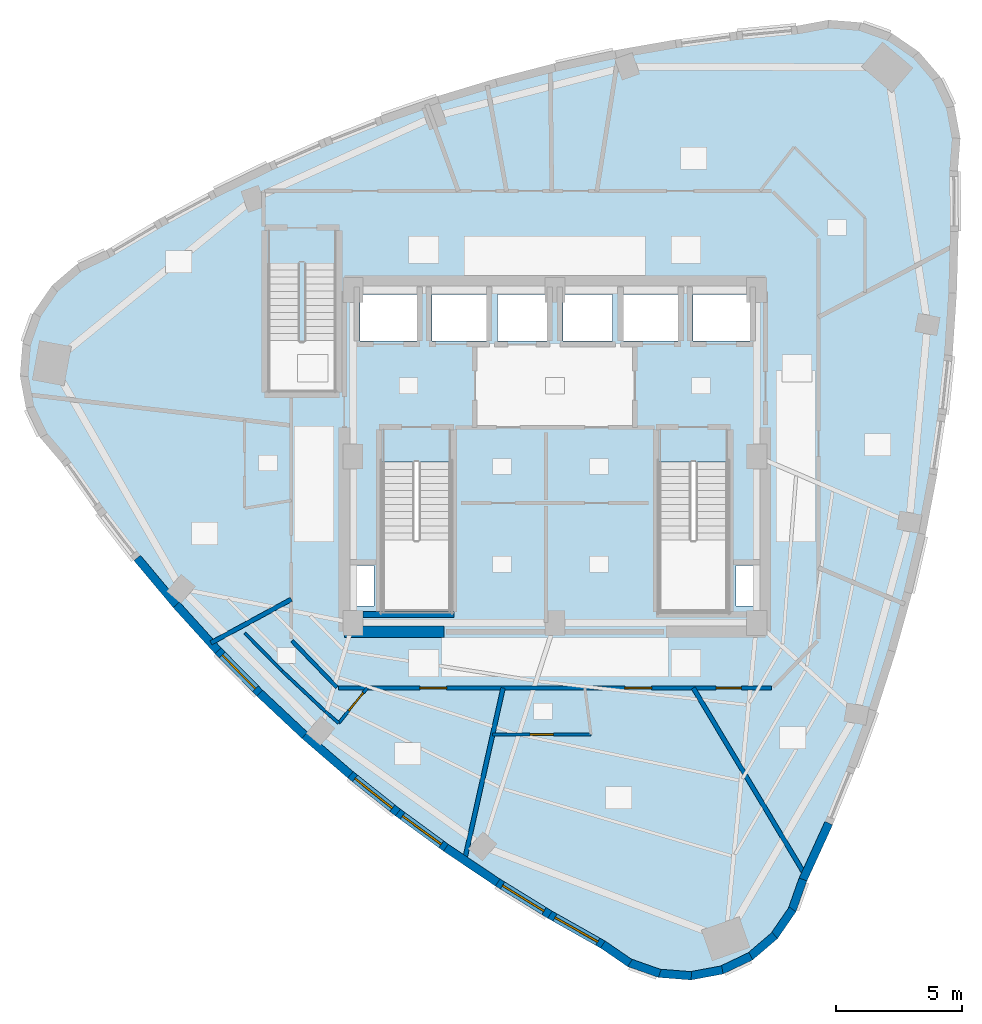
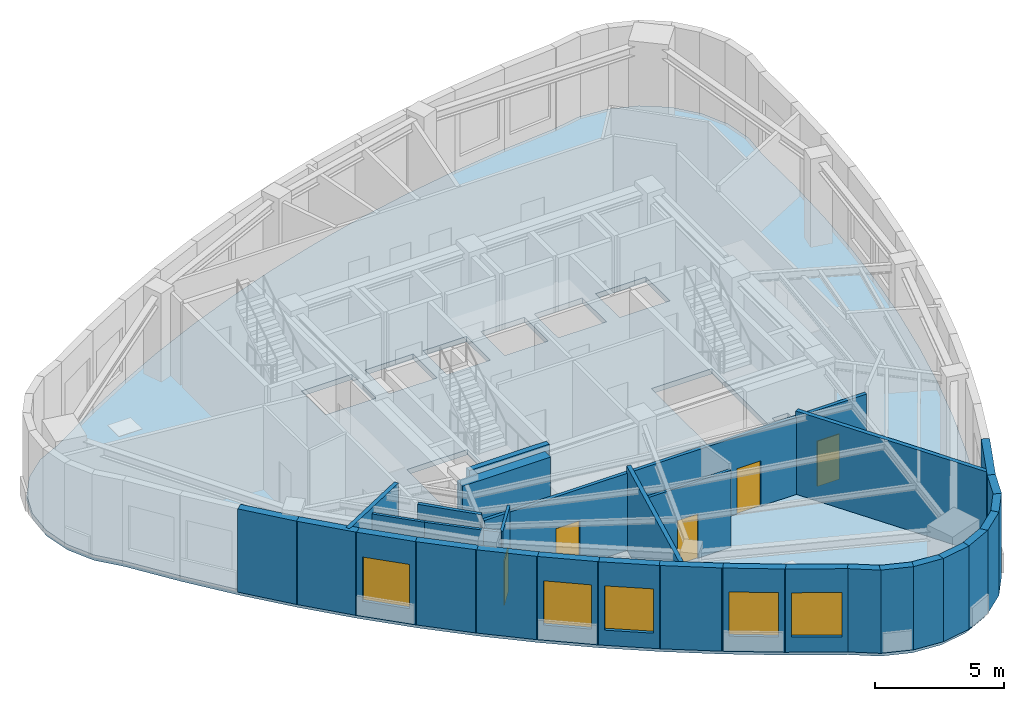
# One storey, part 2 of 9: 31 walls, 5 doors, 5 windows, 1 slab, 10 openings.
"""IFC4 building model written with IfcOpenShell, lengths in metres."""

from ifc_helpers import new_model, si_unit, direction, frame, frame_2d, origin, place, context, subcontext, project, spatial, polyline, rectangle, outline, extrude, material, layer, layer_set, type_object, element, fill, save


model = new_model("IFC4")

# Units and contexts
model_context = context("Model", 3, precision=1e-05, world=origin(), true_north=direction((0.0, 1.0)))
body_context = subcontext(model_context, "Body", "Model", "MODEL_VIEW")
ifc_project = project(units=[si_unit("LENGTHUNIT", "METRE"), si_unit("AREAUNIT", "SQUARE_METRE"), si_unit("VOLUMEUNIT", "CUBIC_METRE"), si_unit("PLANEANGLEUNIT", "RADIAN"), si_unit("MASSUNIT", "GRAM", prefix="KILO")], contexts=[model_context])

# Site, building, storey
site_placement = place(None, origin())
site = spatial("IfcSite", under=ifc_project, at=site_placement, CompositionType="ELEMENT")
building_placement = place(site_placement, origin())
building = spatial("IfcBuilding", under=site, at=building_placement, Name="Ndelora Gate Hotel", CompositionType="ELEMENT")
storey_placement = place(building_placement, frame((0.0, 0.0, 260.199951171875)))
storey = spatial("IfcBuildingStorey", under=building, at=storey_placement, Name="L65", CompositionType="ELEMENT", Elevation=260.199951171875)

# Slab
ifc_material_1 = material(Name="Concrete C40/50", Category="concrete")
ifc_layer_1 = layer(ifc_material_1, 0.25)
ifc_layer_set_1 = layer_set([ifc_layer_1], Name="Concrete C40/50")
slab_type = type_object("IfcSlabType", Name="SL-TWR-250", PredefinedType="FLOOR", material=ifc_layer_set_1)
slab_placement = place(storey_placement, frame((0.0, 0.0, -0.25)))
element("IfcSlab", 1, at=slab_placement, inside=storey, type_object=slab_type, Name="L65 Structural Floor Slab", PredefinedType="FLOOR", context=body_context, shape_type="SweptSolid", body=[
    extrude(outline(polyline([(-17.73193359375, 8.018798828125), (-18.863037109375, 7.4794921875), (-19.81591796875, 6.66552734375), (-20.525390625, 5.6328125), (-20.94384765625, 4.45166015625), (-21.0419921875, 3.20263671875), (-20.813720703125, 1.970458984375), (-20.2744140625, 0.839599609375), (-19.46044921875, -0.11328125), (-18.03662109375, -2.114990234375), (-16.54736328125, -4.044677734375), (-14.993408203125, -5.90185546875), (-13.3740234375, -7.686767578125), (-11.689697265625, -9.399658203125), (-9.9404296875, -11.0400390625), (-8.126220703125, -12.6083984375), (-6.24658203125, -14.104248046875), (-4.30224609375, -15.528076171875), (-2.292724609375, -16.87939453125), (-0.21826171875, -18.15869140625), (1.92138671875, -19.36572265625), (2.9541015625, -20.075439453125), (4.13525390625, -20.493896484375), (5.384521484375, -20.592041015625), (6.61669921875, -20.36376953125), (7.74755859375, -19.82421875), (8.700439453125, -19.010498046875), (9.41015625, -17.977783203125), (9.828369140625, -16.796630859375), (10.85009765625, -14.5625), (11.7763671875, -12.30810546875), (12.60791015625, -10.03369140625), (13.343994140625, -7.739013671875), (13.985107421875, -5.423828125), (14.53125, -3.088623046875), (14.982177734375, -0.7333984375), (15.337890625, 1.642333984375), (15.598876953125, 4.0380859375), (15.764404296875, 6.4541015625), (15.8349609375, 8.890380859375), (15.810546875, 11.346923828125), (15.90869140625, 12.59619140625), (15.680419921875, 13.828125), (15.14111328125, 14.959228515625), (14.3271484375, 15.912109375), (13.294677734375, 16.62158203125), (12.11328125, 17.0400390625), (10.8642578125, 17.13818359375), (9.632080078125, 16.909912109375), (7.1865234375, 16.677490234375), (4.77099609375, 16.352783203125), (2.385498046875, 15.935546875), (0.030029296875, 15.42578125), (-2.29541015625, 14.823486328125), (-4.5908203125, 14.12890625), (-6.85595703125, 13.341552734375), (-9.09130859375, 12.4619140625), (-11.29638671875, 11.489990234375), (-13.4716796875, 10.42529296875), (-15.616943359375, 9.268310546875), (-17.73193359375, 8.018798828125)]), holes=[polyline([(-6.85009765625, -0.22998046875), (-6.85009765625, -6.14990234375), (-4.1298828125, -6.14990234375), (-4.1298828125, -0.22998046875), (-6.85009765625, -0.22998046875)]), polyline([(4.1298828125, -0.22998046875), (4.1298828125, -6.14990234375), (6.85009765625, -6.14990234375), (6.85009765625, -0.22998046875), (4.1298828125, -0.22998046875)]), polyline([(-7.72998046875, 4.570068359375), (-5.469970703125, 4.570068359375), (-5.469970703125, 6.429931640625), (-7.72998046875, 6.429931640625), (-7.72998046875, 4.570068359375)]), polyline([(5.469970703125, 4.570068359375), (7.72998046875, 4.570068359375), (7.72998046875, 6.429931640625), (5.469970703125, 6.429931640625), (5.469970703125, 4.570068359375)]), polyline([(-4.8798828125, 4.570068359375), (-2.719970703125, 4.570068359375), (-2.719970703125, 6.429931640625), (-4.8798828125, 6.429931640625), (-4.8798828125, 4.570068359375)]), polyline([(2.719970703125, 4.570068359375), (4.8798828125, 4.570068359375), (4.8798828125, 6.429931640625), (2.719970703125, 6.429931640625), (2.719970703125, 4.570068359375)]), polyline([(-2.280029296875, 4.570068359375), (-0.320068359375, 4.570068359375), (-0.320068359375, 6.429931640625), (-2.280029296875, 6.429931640625), (-2.280029296875, 4.570068359375)]), polyline([(0.320068359375, 4.570068359375), (2.280029296875, 4.570068359375), (2.280029296875, 6.429931640625), (0.320068359375, 6.429931640625), (0.320068359375, 4.570068359375)]), polyline([(-7.89990234375, -5.919921875), (-7.179931640625, -5.919921875), (-7.179931640625, -4.320068359375), (-7.89990234375, -4.320068359375), (-7.89990234375, -5.919921875)]), polyline([(7.179931640625, -5.919921875), (7.89990234375, -5.919921875), (7.89990234375, -4.320068359375), (7.179931640625, -4.320068359375), (7.179931640625, -5.919921875)])]), origin(), (0.0, 0.0, 1.0), 0.25),
])

# Walls
ifc_material_2 = material(Name="Acoustic Double-Stud Gypsum Assembly", Category="gypsum")
ifc_layer_2 = layer(ifc_material_2, 0.179931640625)
ifc_layer_set_2 = layer_set([ifc_layer_2], Name="Acoustic Double-Stud Gypsum Assembly")
wall_type_1 = type_object("IfcWallType", Name="WL-ACOUST-180", PredefinedType="PARTITIONING", material=ifc_layer_set_2)
wall_1_placement = place(storey_placement, frame((-10.449951171875, -5.665283203125, 0.0), z_axis=(0.0, 0.0, 1.0), x_axis=(-0.87913221744, -0.476577951922, 0.0)))
element("IfcWall", 2, at=wall_1_placement, inside=storey, type_object=wall_type_1, Name="L65 Interior Wall IW-3", PredefinedType="PARTITIONING", context=body_context, shape_type="SweptSolid", body=[
    extrude(rectangle(XDim=3.6279296875, YDim=0.179931640625, at=frame_2d((1.81396484375, 0.0))), origin(), (0.0, 0.0, 1.0), 3.949951171875),
])
wall_2_placement = place(storey_placement, frame((-2.054931640625, -9.179931640625, 0.0), z_axis=(0.0, 0.0, 1.0), x_axis=(-0.218433184148, -0.97585190683, 0.0)))
element("IfcWall", 3, at=wall_2_placement, inside=storey, type_object=wall_type_1, Name="L65 Interior Wall IW-3", PredefinedType="PARTITIONING", context=body_context, shape_type="SweptSolid", body=[
    extrude(rectangle(XDim=7.0, YDim=0.179931640625, at=frame_2d((3.5, 0.0))), origin(), (0.0, 0.0, 1.0), 3.949951171875),
])
wall_3_placement = place(storey_placement, frame((5.488037109375, -9.179931640625, 0.0), z_axis=(0.0, 0.0, 1.0), x_axis=(0.513144382801, -0.858302302455, 0.0)))
element("IfcWall", 4, at=wall_3_placement, inside=storey, type_object=wall_type_1, Name="L65 Interior Wall IW-3", PredefinedType="PARTITIONING", context=body_context, shape_type="SweptSolid", body=[
    extrude(rectangle(XDim=8.638671875, YDim=0.179931640625, at=frame_2d((4.3193359375, 0.0))), origin(), (0.0, 0.0, 1.0), 3.949951171875),
])
ifc_material_3 = material(Name="Clay Brick Masonry", Category="masonry")
ifc_layer_3 = layer(ifc_material_3, 0.330078125)
ifc_layer_set_3 = layer_set([ifc_layer_3], Name="Clay Brick Masonry")
wall_type_2 = type_object("IfcWallType", Name="WL-BRICK-330", PredefinedType="SOLIDWALL", material=ifc_layer_set_3)
wall_4_placement = place(storey_placement, frame((-14.977294921875, -5.9208984375, 0.0), z_axis=(0.0, 0.0, 1.0), x_axis=(-0.641757017805, 0.76690803236, 0.0)))
element("IfcWall", 5, at=wall_4_placement, inside=storey, type_object=wall_type_2, Name="L65 Tower Brick Pier-and-Spandrel Wall TWR-11", PredefinedType="SOLIDWALL", context=body_context, shape_type="SweptSolid", body=[
    extrude(rectangle(XDim=2.4716796875, YDim=0.330078125, at=frame_2d((1.23583984375, 0.0))), origin(), (0.0, 0.0, 1.0), 3.949951171875),
])
wall_5_placement = place(storey_placement, frame((-13.357421875, -7.705322265625, 0.0), z_axis=(0.0, 0.0, 1.0), x_axis=(-0.671827602416, 0.740707548653, 0.0)))
element("IfcWall", 6, at=wall_5_placement, inside=storey, type_object=wall_type_2, Name="L65 Tower Brick Pier-and-Spandrel Wall TWR-12", PredefinedType="SOLIDWALL", context=body_context, shape_type="SweptSolid", body=[
    extrude(rectangle(XDim=2.4599609375, YDim=0.330078125, at=frame_2d((1.22998046875, 0.0))), origin(), (0.0, 0.0, 1.0), 3.949951171875),
])

# Wall, opening, window
wall_6_placement = place(storey_placement, frame((-11.67236328125, -9.41748046875, 0.0), z_axis=(0.0, 0.0, 1.0), x_axis=(-0.701107893647, 0.713055202257, 0.0)))
wall_6 = element("IfcWall", 7, at=wall_6_placement, inside=storey, type_object=wall_type_2, Name="L65 Tower Brick Pier-and-Spandrel Wall TWR-13", PredefinedType="SOLIDWALL", context=body_context, shape_type="SweptSolid", body=[
    extrude(rectangle(XDim=2.4521484375, YDim=0.330078125, at=frame_2d((1.22607421875, 0.0))), origin(), (0.0, 0.0, 1.0), 3.949951171875),
])
opening_1_placement = place(wall_6_placement, frame((0.281005859375, 0.0, 0.719970703125)))
opening_1 = element("IfcOpeningElement", 8, at=opening_1_placement, cuts=wall_6, Name="Opening W08", PredefinedType="OPENING", context=body_context, shape_type="SweptSolid", body=[
    extrude(rectangle(XDim=1.889892578125, YDim=2.10009765625, at=frame_2d((0.94482421875, 1.050048828125))), frame((0.0, 0.175048828125, 0.0), z_axis=(0.0, -1.0, 0.0), x_axis=(1.0, 0.0, 0.0)), (0.0, 0.0, 1.0), 0.35009765625),
])
ifc_material_4 = material(Name="Insulated Low-E Double Glazing in Bronze Aluminium Frame", Category="aluminium")
window_type = type_object("IfcWindowType", Name="WN-PENT-2250", PartitioningType="SINGLE_PANEL", PredefinedType="WINDOW", material=ifc_material_4)
window_1_placement = place(opening_1_placement, origin())
window_1 = element("IfcWindow", 9, at=window_1_placement, inside=storey, type_object=window_type, Name="L65 Deep-Set Brick-Pier Window W08", OverallHeight=2.10009765625, OverallWidth=1.889892578125, PartitioningType="SINGLE_PANEL", PredefinedType="WINDOW", context=body_context, shape_type="SweptSolid", body=[
    extrude(rectangle(XDim=1.889892578125, YDim=2.10009765625, at=frame_2d((0.94482421875, 1.050048828125))), frame((0.0, 0.030029296875, 0.0), z_axis=(0.0, -1.0, 0.0), x_axis=(1.0, 0.0, 0.0)), (0.0, 0.0, 1.0), 0.06005859375),
])
fill(opening_1, window_1)

# Walls
wall_7_placement = place(storey_placement, frame((-9.92236328125, -11.05712890625, 0.0), z_axis=(0.0, 0.0, 1.0), x_axis=(-0.72943145169, 0.68405391402, 0.0)))
element("IfcWall", 10, at=wall_7_placement, inside=storey, type_object=wall_type_2, Name="L65 Tower Brick Pier-and-Spandrel Wall TWR-14", PredefinedType="SOLIDWALL", context=body_context, shape_type="SweptSolid", body=[
    extrude(rectangle(XDim=2.447998046875, YDim=0.330078125, at=frame_2d((1.22412109375, 0.0))), origin(), (0.0, 0.0, 1.0), 3.949951171875),
])
wall_8_placement = place(storey_placement, frame((-8.107177734375, -12.62451171875, 0.0), z_axis=(0.0, 0.0, 1.0), x_axis=(-0.756596491388, 0.653882060634, 0.0)))
element("IfcWall", 11, at=wall_8_placement, inside=storey, type_object=wall_type_2, Name="L65 Tower Brick Pier-and-Spandrel Wall TWR-15", PredefinedType="SOLIDWALL", context=body_context, shape_type="SweptSolid", body=[
    extrude(rectangle(XDim=2.4482421875, YDim=0.330078125, at=frame_2d((1.22412109375, 0.0))), origin(), (0.0, 0.0, 1.0), 3.949951171875),
])

# Wall, opening, window
wall_9_placement = place(storey_placement, frame((-6.22705078125, -14.119873046875, 0.0), z_axis=(0.0, 0.0, 1.0), x_axis=(-0.782430159528, 0.622738344299, 0.0)))
wall_9 = element("IfcWall", 12, at=wall_9_placement, inside=storey, type_object=wall_type_2, Name="L65 Tower Brick Pier-and-Spandrel Wall TWR-16", PredefinedType="SOLIDWALL", context=body_context, shape_type="SweptSolid", body=[
    extrude(rectangle(XDim=2.4521484375, YDim=0.330078125, at=frame_2d((1.22607421875, 0.0))), origin(), (0.0, 0.0, 1.0), 3.949951171875),
])
opening_2_placement = place(wall_9_placement, frame((0.281005859375, 0.0, 0.719970703125)))
opening_2 = element("IfcOpeningElement", 13, at=opening_2_placement, cuts=wall_9, Name="Opening W08", PredefinedType="OPENING", context=body_context, shape_type="SweptSolid", body=[
    extrude(rectangle(XDim=1.889892578125, YDim=2.10009765625, at=frame_2d((0.94482421875, 1.050048828125))), frame((0.0, 0.175048828125, 0.0), z_axis=(0.0, -1.0, 0.0), x_axis=(1.0, 0.0, 0.0)), (0.0, 0.0, 1.0), 0.35009765625),
])
window_2_placement = place(opening_2_placement, origin())
window_2 = element("IfcWindow", 14, at=window_2_placement, inside=storey, type_object=window_type, Name="L65 Deep-Set Brick-Pier Window W08", OverallHeight=2.10009765625, OverallWidth=1.889892578125, PartitioningType="SINGLE_PANEL", PredefinedType="WINDOW", context=body_context, shape_type="SweptSolid", body=[
    extrude(rectangle(XDim=1.889892578125, YDim=2.10009765625, at=frame_2d((0.94482421875, 1.050048828125))), frame((0.0, 0.030029296875, 0.0), z_axis=(0.0, -1.0, 0.0), x_axis=(1.0, 0.0, 0.0)), (0.0, 0.0, 1.0), 0.06005859375),
])
fill(opening_2, window_2)

wall_10_placement = place(storey_placement, frame((-4.281982421875, -15.542724609375, 0.0), z_axis=(0.0, 0.0, 1.0), x_axis=(-0.806878025258, 0.59071808196, 0.0)))
wall_10 = element("IfcWall", 15, at=wall_10_placement, inside=storey, type_object=wall_type_2, Name="L65 Tower Brick Pier-and-Spandrel Wall TWR-17", PredefinedType="SOLIDWALL", context=body_context, shape_type="SweptSolid", body=[
    extrude(rectangle(XDim=2.4599609375, YDim=0.330078125, at=frame_2d((1.22998046875, 0.0))), origin(), (0.0, 0.0, 1.0), 3.949951171875),
])
opening_3_placement = place(wall_10_placement, frame((0.27978515625, 0.0, 0.719970703125)))
opening_3 = element("IfcOpeningElement", 16, at=opening_3_placement, cuts=wall_10, Name="Opening W08", PredefinedType="OPENING", context=body_context, shape_type="SweptSolid", body=[
    extrude(rectangle(XDim=1.89990234375, YDim=2.10009765625, at=frame_2d((0.949951171875, 1.050048828125))), frame((0.0, 0.175048828125, 0.0), z_axis=(0.0, -1.0, 0.0), x_axis=(1.0, 0.0, 0.0)), (0.0, 0.0, 1.0), 0.35009765625),
])
window_3_placement = place(opening_3_placement, origin())
window_3 = element("IfcWindow", 17, at=window_3_placement, inside=storey, type_object=window_type, Name="L65 Deep-Set Brick-Pier Window W08", OverallHeight=2.10009765625, OverallWidth=1.89990234375, PartitioningType="SINGLE_PANEL", PredefinedType="WINDOW", context=body_context, shape_type="SweptSolid", body=[
    extrude(rectangle(XDim=1.89990234375, YDim=2.10009765625, at=frame_2d((0.949951171875, 1.050048828125))), frame((0.0, 0.030029296875, 0.0), z_axis=(0.0, -1.0, 0.0), x_axis=(1.0, 0.0, 0.0)), (0.0, 0.0, 1.0), 0.06005859375),
])
fill(opening_3, window_3)

# Wall
wall_11_placement = place(storey_placement, frame((-2.27197265625, -16.8935546875, 0.0), z_axis=(0.0, 0.0, 1.0), x_axis=(-0.829748723079, 0.558137130594, 0.0)))
element("IfcWall", 18, at=wall_11_placement, inside=storey, type_object=wall_type_2, Name="L65 Tower Brick Pier-and-Spandrel Wall TWR-18", PredefinedType="SOLIDWALL", context=body_context, shape_type="SweptSolid", body=[
    extrude(rectangle(XDim=2.471923828125, YDim=0.330078125, at=frame_2d((1.23583984375, 0.0))), origin(), (0.0, 0.0, 1.0), 3.949951171875),
])

# Wall, opening, window
wall_12_placement = place(storey_placement, frame((-0.197021484375, -18.171875, 0.0), z_axis=(0.0, 0.0, 1.0), x_axis=(-0.851175986277, 0.524880405792, 0.0)))
wall_12 = element("IfcWall", 19, at=wall_12_placement, inside=storey, type_object=wall_type_2, Name="L65 Tower Brick Pier-and-Spandrel Wall TWR-19", PredefinedType="SOLIDWALL", context=body_context, shape_type="SweptSolid", body=[
    extrude(rectangle(XDim=2.487060546875, YDim=0.330078125, at=frame_2d((1.24365234375, 0.0))), origin(), (0.0, 0.0, 1.0), 3.949951171875),
])
opening_4_placement = place(wall_12_placement, frame((0.278564453125, 0.0, 0.719970703125)))
opening_4 = element("IfcOpeningElement", 20, at=opening_4_placement, cuts=wall_12, Name="Opening W08", PredefinedType="OPENING", context=body_context, shape_type="SweptSolid", body=[
    extrude(rectangle(XDim=1.929931640625, YDim=2.10009765625, at=frame_2d((0.96484375, 1.050048828125))), frame((0.0, 0.175048828125, 0.0), z_axis=(0.0, -1.0, 0.0), x_axis=(1.0, 0.0, 0.0)), (0.0, 0.0, 1.0), 0.35009765625),
])
window_4_placement = place(opening_4_placement, origin())
window_4 = element("IfcWindow", 21, at=window_4_placement, inside=storey, type_object=window_type, Name="L65 Deep-Set Brick-Pier Window W08", OverallHeight=2.10009765625, OverallWidth=1.929931640625, PartitioningType="SINGLE_PANEL", PredefinedType="WINDOW", context=body_context, shape_type="SweptSolid", body=[
    extrude(rectangle(XDim=1.929931640625, YDim=2.10009765625, at=frame_2d((0.96484375, 1.050048828125))), frame((0.0, 0.030029296875, 0.0), z_axis=(0.0, -1.0, 0.0), x_axis=(1.0, 0.0, 0.0)), (0.0, 0.0, 1.0), 0.06005859375),
])
fill(opening_4, window_4)

wall_13_placement = place(storey_placement, frame((1.943359375, -19.378173828125, 0.0), z_axis=(0.0, 0.0, 1.0), x_axis=(-0.870968849899, 0.491338236357, 0.0)))
wall_13 = element("IfcWall", 22, at=wall_13_placement, inside=storey, type_object=wall_type_2, Name="L65 Tower Brick Pier-and-Spandrel Wall TWR-20", PredefinedType="SOLIDWALL", context=body_context, shape_type="SweptSolid", body=[
    extrude(rectangle(XDim=2.5068359375, YDim=0.330078125, at=frame_2d((1.25341796875, 0.0))), origin(), (0.0, 0.0, 1.0), 3.949951171875),
])
opening_5_placement = place(wall_13_placement, frame((0.2783203125, 0.0, 0.719970703125)))
opening_5 = element("IfcOpeningElement", 23, at=opening_5_placement, cuts=wall_13, Name="Opening W08", PredefinedType="OPENING", context=body_context, shape_type="SweptSolid", body=[
    extrude(rectangle(XDim=1.949951171875, YDim=2.10009765625, at=frame_2d((0.97509765625, 1.050048828125))), frame((0.0, 0.175048828125, 0.0), z_axis=(0.0, -1.0, 0.0), x_axis=(1.0, 0.0, 0.0)), (0.0, 0.0, 1.0), 0.35009765625),
])
window_5_placement = place(opening_5_placement, origin())
window_5 = element("IfcWindow", 24, at=window_5_placement, inside=storey, type_object=window_type, Name="L65 Deep-Set Brick-Pier Window W08", OverallHeight=2.10009765625, OverallWidth=1.949951171875, PartitioningType="SINGLE_PANEL", PredefinedType="WINDOW", context=body_context, shape_type="SweptSolid", body=[
    extrude(rectangle(XDim=1.949951171875, YDim=2.10009765625, at=frame_2d((0.97509765625, 1.050048828125))), frame((0.0, 0.030029296875, 0.0), z_axis=(0.0, -1.0, 0.0), x_axis=(1.0, 0.0, 0.0)), (0.0, 0.0, 1.0), 0.06005859375),
])
fill(opening_5, window_5)

# Walls
wall_14_placement = place(storey_placement, frame((2.974609375, -20.089599609375, 0.0), z_axis=(0.0, 0.0, 1.0), x_axis=(-0.824096593529, 0.566449295643, 0.0)))
element("IfcWall", 25, at=wall_14_placement, inside=storey, type_object=wall_type_2, Name="L65 Tower Brick Pier-and-Spandrel Wall TWR-21", PredefinedType="SOLIDWALL", context=body_context, shape_type="SweptSolid", body=[
    extrude(rectangle(XDim=1.302978515625, YDim=0.330078125, at=frame_2d((0.6513671875, 0.0))), origin(), (0.0, 0.0, 1.0), 3.949951171875),
])
wall_15_placement = place(storey_placement, frame((4.158935546875, -20.502197265625, 0.0), z_axis=(0.0, 0.0, 1.0), x_axis=(-0.942637049927, 0.333819400431, 0.0)))
element("IfcWall", 26, at=wall_15_placement, inside=storey, type_object=wall_type_2, Name="L65 Tower Brick Pier-and-Spandrel Wall TWR-22", PredefinedType="SOLIDWALL", context=body_context, shape_type="SweptSolid", body=[
    extrude(rectangle(XDim=1.30322265625, YDim=0.330078125, at=frame_2d((0.651611328125, 0.0))), origin(), (0.0, 0.0, 1.0), 3.949951171875),
])
for number, where, z_axis, x_axis, name in (
    (27, (5.409423828125, -20.593994140625, 0.0), (0.0, 0.0, 1.0), (-0.996913988439, 0.078501590144, 0.0), "L65 Tower Brick Pier-and-Spandrel Wall TWR-23"),
    (28, (6.64111328125, -20.359130859375, 0.0), (0.0, 0.0, 1.0), (-0.983243468193, -0.182297236005, 0.0), "L65 Tower Brick Pier-and-Spandrel Wall TWR-24"),
):
    element("IfcWall", number, at=place(storey_placement, frame(where, z_axis=z_axis, x_axis=x_axis)), inside=storey, type_object=wall_type_2, Name=name, PredefinedType="SOLIDWALL", context=body_context, shape_type="SweptSolid", body=[
        extrude(rectangle(XDim=1.302978515625, YDim=0.330078125, at=frame_2d((0.6513671875, 0.0))), origin(), (0.0, 0.0, 1.0), 3.949951171875),
    ])
wall_16_placement = place(storey_placement, frame((7.770263671875, -19.8134765625, 0.0), z_axis=(0.0, 0.0, 1.0), x_axis=(-0.902590242775, -0.430500701099, 0.0)))
element("IfcWall", 29, at=wall_16_placement, inside=storey, type_object=wall_type_2, Name="L65 Tower Brick Pier-and-Spandrel Wall TWR-25", PredefinedType="SOLIDWALL", context=body_context, shape_type="SweptSolid", body=[
    extrude(rectangle(XDim=1.30322265625, YDim=0.330078125, at=frame_2d((0.651611328125, 0.0))), origin(), (0.0, 0.0, 1.0), 3.949951171875),
])
for number, where, z_axis, x_axis, name in (
    (30, (8.719482421875, -18.994384765625, 0.0), (0.0, 0.0, 1.0), (-0.760471977712, -0.649370750123, 0.0), "L65 Tower Brick Pier-and-Spandrel Wall TWR-26"),
    (31, (9.42431640625, -17.957275390625, 0.0), (0.0, 0.0, 1.0), (-0.566449295643, -0.824096593529, 0.0), "L65 Tower Brick Pier-and-Spandrel Wall TWR-27"),
):
    element("IfcWall", number, at=place(storey_placement, frame(where, z_axis=z_axis, x_axis=x_axis)), inside=storey, type_object=wall_type_2, Name=name, PredefinedType="SOLIDWALL", context=body_context, shape_type="SweptSolid", body=[
        extrude(rectangle(XDim=1.302978515625, YDim=0.330078125, at=frame_2d((0.6513671875, 0.0))), origin(), (0.0, 0.0, 1.0), 3.949951171875),
    ])
wall_17_placement = place(storey_placement, frame((9.836669921875, -16.77294921875, 0.0), z_axis=(0.0, 0.0, 1.0), x_axis=(-0.333652931337, -0.942695985676, 0.0)))
element("IfcWall", 32, at=wall_17_placement, inside=storey, type_object=wall_type_2, Name="L65 Tower Brick Pier-and-Spandrel Wall TWR-28", PredefinedType="SOLIDWALL", context=body_context, shape_type="SweptSolid", body=[
    extrude(rectangle(XDim=1.30322265625, YDim=0.330078125, at=frame_2d((0.651611328125, 0.0))), origin(), (0.0, 0.0, 1.0), 3.949951171875),
])
wall_18_placement = place(storey_placement, frame((10.8603515625, -14.539794921875, 0.0), z_axis=(0.0, 0.0, 1.0), x_axis=(-0.415812703035, -0.909450271315, 0.0)))
element("IfcWall", 33, at=wall_18_placement, inside=storey, type_object=wall_type_2, Name="L65 Tower Brick Pier-and-Spandrel Wall TWR-29", PredefinedType="SOLIDWALL", context=body_context, shape_type="SweptSolid", body=[
    extrude(rectangle(XDim=2.506591796875, YDim=0.330078125, at=frame_2d((1.25341796875, 0.0))), origin(), (0.0, 0.0, 1.0), 3.949951171875),
])
ifc_material_5 = material(Name="Concrete C50/60", Category="concrete")
ifc_layer_4 = layer(ifc_material_5, 0.449951171875)
ifc_layer_set_4 = layer_set([ifc_layer_4], Name="Concrete C50/60")
wall_type_3 = type_object("IfcWallType", Name="WL-CORE-450", PredefinedType="SHEAR", material=ifc_layer_set_4)
wall_19_placement = place(storey_placement, frame((-8.35009765625, -6.949951171875, 0.0), z_axis=(0.0, 0.0, 1.0), x_axis=(1.0, 0.0, 0.0)))
element("IfcWall", 34, at=wall_19_placement, inside=storey, type_object=wall_type_3, Name="L65 Core Shear Wall S-W", PredefinedType="SHEAR", context=body_context, shape_type="SweptSolid", body=[
    extrude(rectangle(XDim=3.9501953125, YDim=0.449951171875, at=frame_2d((1.97509765625, 0.0))), origin(), (0.0, 0.0, 1.0), 3.949951171875),
])

# Wall, openings, doors
ifc_material_6 = material(Name="Fire-Rated Gypsum Stud Partition", Category="gypsum")
ifc_layer_5 = layer(ifc_material_6, 0.14990234375)
ifc_layer_set_5 = layer_set([ifc_layer_5], Name="Fire-Rated Gypsum Stud Partition")
wall_type_4 = type_object("IfcWallType", Name="WL-PART-150", PredefinedType="PARTITIONING", material=ifc_layer_set_5)
wall_20_placement = place(storey_placement, frame((8.580078125, -9.179931640625, 0.0), z_axis=(0.0, 0.0, 1.0), x_axis=(-1.0, 0.0, 0.0)))
wall_20 = element("IfcWall", 35, at=wall_20_placement, inside=storey, type_object=wall_type_4, Name="L65 Interior Wall IW-5", PredefinedType="PARTITIONING", context=body_context, shape_type="SweptSolid", body=[
    extrude(rectangle(XDim=17.16015625, YDim=0.14990234375, at=frame_2d((8.580078125, 0.0))), origin(), (0.0, 0.0, 1.0), 3.66015625),
])
opening_6_placement = place(wall_20_placement, frame((12.871337890625, 0.0, 0.0)))
opening_6 = element("IfcOpeningElement", 36, at=opening_6_placement, cuts=wall_20, Name="Opening D07", PredefinedType="OPENING", context=body_context, shape_type="SweptSolid", body=[
    extrude(rectangle(XDim=1.06005859375, YDim=2.14990234375, at=frame_2d((0.530029296875, 1.074951171875))), frame((0.0, 0.0849609375, 0.0), z_axis=(0.0, -1.0, 0.0), x_axis=(1.0, 0.0, 0.0)), (0.0, 0.0, 1.0), 0.169921875),
])
opening_7_placement = place(wall_20_placement, frame((1.185791015625, 0.0, 0.0)))
opening_7 = element("IfcOpeningElement", 37, at=opening_7_placement, cuts=wall_20, Name="Opening D01", PredefinedType="OPENING", context=body_context, shape_type="SweptSolid", body=[
    extrude(rectangle(XDim=1.0, YDim=2.14990234375, at=frame_2d((0.5, 1.074951171875))), frame((0.0, 0.0849609375, 0.0), z_axis=(0.0, -1.0, 0.0), x_axis=(1.0, 0.0, 0.0)), (0.0, 0.0, 1.0), 0.169921875),
])
opening_8_placement = place(wall_20_placement, frame((4.7470703125, 0.0, 0.0)))
opening_8 = element("IfcOpeningElement", 38, at=opening_8_placement, cuts=wall_20, Name="Opening D07", PredefinedType="OPENING", context=body_context, shape_type="SweptSolid", body=[
    extrude(rectangle(XDim=1.06005859375, YDim=2.14990234375, at=frame_2d((0.530029296875, 1.074951171875))), frame((0.0, 0.0849609375, 0.0), z_axis=(0.0, -1.0, 0.0), x_axis=(1.0, 0.0, 0.0)), (0.0, 0.0, 1.0), 0.169921875),
])
ifc_material_7 = material(Name="Acoustic Hardwood Guest Entrance Door", Category="wood")
door_type_1 = type_object("IfcDoorType", Name="DR-COR-1000", OperationType="SINGLE_SWING_LEFT", PredefinedType="DOOR", material=ifc_material_7)
door_1_placement = place(opening_7_placement, origin())
door_1 = element("IfcDoor", 39, at=door_1_placement, inside=storey, type_object=door_type_1, Name="L65 Summit Collector Study Entrance Door", OperationType="SINGLE_SWING_RIGHT", OverallHeight=2.14990234375, OverallWidth=1.0, PredefinedType="DOOR", context=body_context, shape_type="SweptSolid", body=[
    extrude(rectangle(XDim=1.0, YDim=2.14990234375, at=frame_2d((0.5, 1.074951171875))), frame((0.0, 0.02490234375, 0.0), z_axis=(0.0, -1.0, 0.0), x_axis=(1.0, 0.0, 0.0)), (0.0, 0.0, 1.0), 0.050048828125),
])
fill(opening_7, door_1)
ifc_material_8 = material(Name="Diplomatic Suite Acoustic Entrance Door", Category="wood")
door_type_2 = type_object("IfcDoorType", Name="DR-SUITE-1060", OperationType="SINGLE_SWING_LEFT", PredefinedType="DOOR", material=ifc_material_8)
door_2_placement = place(opening_6_placement, origin())
door_2 = element("IfcDoor", 40, at=door_2_placement, inside=storey, type_object=door_type_2, Name="L65 Presidential Summit Suite 6802 Entrance Door", OperationType="SINGLE_SWING_LEFT", OverallHeight=2.14990234375, OverallWidth=1.06005859375, PredefinedType="DOOR", context=body_context, shape_type="SweptSolid", body=[
    extrude(rectangle(XDim=1.06005859375, YDim=2.14990234375, at=frame_2d((0.530029296875, 1.074951171875))), frame((0.0, 0.02490234375, 0.0), z_axis=(0.0, -1.0, 0.0), x_axis=(1.0, 0.0, 0.0)), (0.0, 0.0, 1.0), 0.050048828125),
])
fill(opening_6, door_2)
door_3_placement = place(opening_8_placement, origin())
door_3 = element("IfcDoor", 41, at=door_3_placement, inside=storey, type_object=door_type_2, Name="L65 Crown Diplomatic Suite 6803 Entrance Door", OperationType="SINGLE_SWING_LEFT", OverallHeight=2.14990234375, OverallWidth=1.06005859375, PredefinedType="DOOR", context=body_context, shape_type="SweptSolid", body=[
    extrude(rectangle(XDim=1.06005859375, YDim=2.14990234375, at=frame_2d((0.530029296875, 1.074951171875))), frame((0.0, 0.02490234375, 0.0), z_axis=(0.0, -1.0, 0.0), x_axis=(1.0, 0.0, 0.0)), (0.0, 0.0, 1.0), 0.050048828125),
])
fill(opening_8, door_3)

# Walls
wall_21_placement = place(storey_placement, frame((-8.647705078125, -9.151123046875, 0.0), z_axis=(0.0, 0.0, 1.0), x_axis=(-0.693764562202, 0.720201869085, 0.0)))
element("IfcWall", 42, at=wall_21_placement, inside=storey, type_object=wall_type_4, Name="L65 Interior Wall IW-5", PredefinedType="PARTITIONING", context=body_context, shape_type="SweptSolid", body=[
    extrude(rectangle(XDim=2.55810546875, YDim=0.14990234375, at=frame_2d((1.279052734375, 0.0))), origin(), (0.0, 0.0, 1.0), 3.949951171875),
])
ifc_layer_6 = layer(ifc_material_5, 0.239990234375)
ifc_layer_set_6 = layer_set([ifc_layer_6], Name="Concrete C50/60")
wall_type_5 = type_object("IfcWallType", Name="WL-STAIR-240", PredefinedType="SHEAR", material=ifc_layer_set_6)
wall_22_placement = place(storey_placement, frame((-7.60009765625, -6.27001953125, 0.0), z_axis=(0.0, 0.0, 1.0), x_axis=(1.0, 0.0, 0.0)))
element("IfcWall", 43, at=wall_22_placement, inside=storey, type_object=wall_type_5, Name="L65 Stair Core Shear Wall SW-ST", PredefinedType="SHEAR", context=body_context, shape_type="SweptSolid", body=[
    extrude(rectangle(XDim=3.590087890625, YDim=0.239990234375, at=frame_2d((1.794921875, 0.0))), origin(), (0.0, 0.0, 1.0), 3.949951171875),
])

# Wall, opening, door
ifc_material_9 = material(Name="Moisture-Resistant Bathroom Tile Partition", Category="gypsum")
ifc_layer_7 = layer(ifc_material_9, 0.1201171875)
ifc_layer_set_7 = layer_set([ifc_layer_7], Name="Moisture-Resistant Bathroom Tile Partition")
wall_type_6 = type_object("IfcWallType", Name="WL-WET-120", PredefinedType="PARTITIONING", material=ifc_layer_set_7)
wall_23_placement = place(storey_placement, frame((-7.44287109375, -9.179931640625, 0.0), z_axis=(0.0, 0.0, 1.0), x_axis=(-0.629750844472, -0.776797189675, 0.0)))
wall_23 = element("IfcWall", 44, at=wall_23_placement, inside=storey, type_object=wall_type_6, Name="L65 Interior Wall IW-7", PredefinedType="PARTITIONING", context=body_context, shape_type="SweptSolid", body=[
    extrude(rectangle(XDim=1.79150390625, YDim=0.1201171875, at=frame_2d((0.895751953125, 0.0))), origin(), (0.0, 0.0, 1.0), 3.949951171875),
])
opening_9_placement = place(wall_23_placement, frame((0.239990234375, 0.0, 0.0)))
opening_9 = element("IfcOpeningElement", 45, at=opening_9_placement, cuts=wall_23, Name="Opening D03", PredefinedType="OPENING", context=body_context, shape_type="SweptSolid", body=[
    extrude(rectangle(XDim=0.919921875, YDim=2.10009765625, at=frame_2d((0.4599609375, 1.050048828125))), frame((0.0, 0.070068359375, 0.0), z_axis=(0.0, -1.0, 0.0), x_axis=(1.0, 0.0, 0.0)), (0.0, 0.0, 1.0), 0.14013671875),
])
ifc_material_10 = material(Name="Moisture-Resistant Hardwood En-Suite Door", Category="wood")
door_type_3 = type_object("IfcDoorType", Name="DR-BATH-920", OperationType="SINGLE_SWING_LEFT", PredefinedType="DOOR", material=ifc_material_10)
door_4_placement = place(opening_9_placement, origin())
door_4 = element("IfcDoor", 46, at=door_4_placement, inside=storey, type_object=door_type_3, Name="L65 En-suite Bathroom 6802 Door", OperationType="SINGLE_SWING_LEFT", OverallHeight=2.10009765625, OverallWidth=0.919921875, PredefinedType="DOOR", context=body_context, shape_type="SweptSolid", body=[
    extrude(rectangle(XDim=0.919921875, YDim=2.10009765625, at=frame_2d((0.4599609375, 1.050048828125))), frame((0.0, 0.02490234375, 0.0), z_axis=(0.0, -1.0, 0.0), x_axis=(1.0, 0.0, 0.0)), (0.0, 0.0, 1.0), 0.050048828125),
])
fill(opening_9, door_4)

# Walls
wall_24_placement = place(storey_placement, frame((-9.10400390625, -10.11083984375, 0.0), z_axis=(0.0, 0.0, 1.0), x_axis=(0.756534614859, -0.653953650132, 0.0)))
element("IfcWall", 47, at=wall_24_placement, inside=storey, type_object=wall_type_6, Name="L65 Interior Wall IW-7", PredefinedType="PARTITIONING", context=body_context, shape_type="SweptSolid", body=[
    extrude(rectangle(XDim=0.70458984375, YDim=0.1201171875, at=frame_2d((0.352294921875, 0.0))), origin(), (0.0, 0.0, 1.0), 3.949951171875),
])
wall_25_placement = place(storey_placement, frame((-10.81640625, -8.505126953125, 0.0), z_axis=(0.0, 0.0, 1.0), x_axis=(0.729465847855, -0.684017234295, 0.0)))
element("IfcWall", 48, at=wall_25_placement, inside=storey, type_object=wall_type_6, Name="L65 Interior Wall IW-7", PredefinedType="PARTITIONING", context=body_context, shape_type="SweptSolid", body=[
    extrude(rectangle(XDim=2.347412109375, YDim=0.1201171875, at=frame_2d((1.173828125, 0.0))), origin(), (0.0, 0.0, 1.0), 3.949951171875),
])
wall_26_placement = place(storey_placement, frame((-12.300048828125, -6.996337890625, 0.0), z_axis=(0.0, 0.0, 1.0), x_axis=(0.701139951814, -0.713023679811, 0.0)))
element("IfcWall", 49, at=wall_26_placement, inside=storey, type_object=wall_type_6, Name="L65 Interior Wall IW-7", PredefinedType="PARTITIONING", context=body_context, shape_type="SweptSolid", body=[
    extrude(rectangle(XDim=2.115966796875, YDim=0.1201171875, at=frame_2d((1.05810546875, 0.0))), origin(), (0.0, 0.0, 1.0), 3.949951171875),
])

# Wall, opening, door
wall_27_placement = place(storey_placement, frame((1.43017578125, -11.030029296875, 0.0), z_axis=(0.0, 0.0, 1.0), x_axis=(-1.0, 0.0, 0.0)))
wall_27 = element("IfcWall", 50, at=wall_27_placement, inside=storey, type_object=wall_type_6, Name="L65 Interior Wall IW-7", PredefinedType="PARTITIONING", context=body_context, shape_type="SweptSolid", body=[
    extrude(rectangle(XDim=3.899169921875, YDim=0.1201171875, at=frame_2d((1.94970703125, 0.0))), origin(), (0.0, 0.0, 1.0), 3.66015625),
])
opening_10_placement = place(wall_27_placement, frame((1.489501953125, 0.0, 0.0)))
opening_10 = element("IfcOpeningElement", 51, at=opening_10_placement, cuts=wall_27, Name="Opening D03", PredefinedType="OPENING", context=body_context, shape_type="SweptSolid", body=[
    extrude(rectangle(XDim=0.919921875, YDim=2.10009765625, at=frame_2d((0.4599609375, 1.050048828125))), frame((0.0, 0.070068359375, 0.0), z_axis=(0.0, -1.0, 0.0), x_axis=(1.0, 0.0, 0.0)), (0.0, 0.0, 1.0), 0.14013671875),
])
door_5_placement = place(opening_10_placement, origin())
door_5 = element("IfcDoor", 52, at=door_5_placement, inside=storey, type_object=door_type_3, Name="L65 En-suite Bathroom 6803 Door", OperationType="SINGLE_SWING_RIGHT", OverallHeight=2.10009765625, OverallWidth=0.919921875, PredefinedType="DOOR", context=body_context, shape_type="SweptSolid", body=[
    extrude(rectangle(XDim=0.919921875, YDim=2.10009765625, at=frame_2d((0.4599609375, 1.050048828125))), frame((0.0, 0.02490234375, 0.0), z_axis=(0.0, -1.0, 0.0), x_axis=(1.0, 0.0, 0.0)), (0.0, 0.0, 1.0), 0.050048828125),
])
fill(opening_10, door_5)

save(model, "model.ifc")
